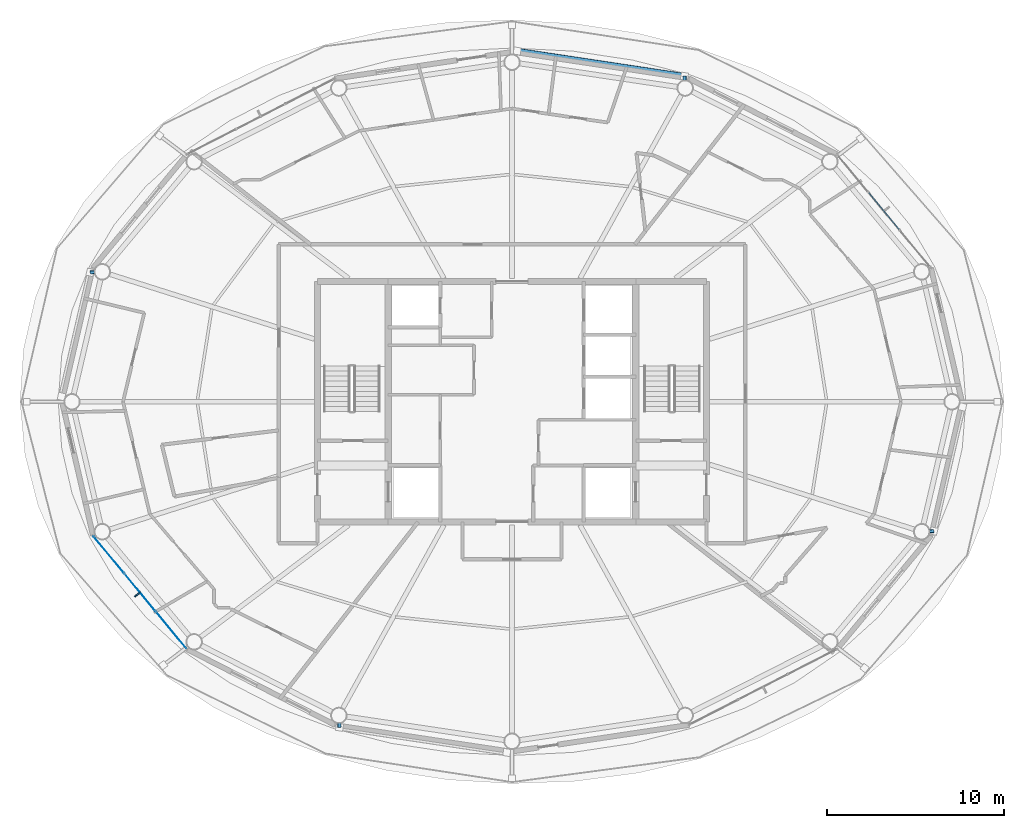
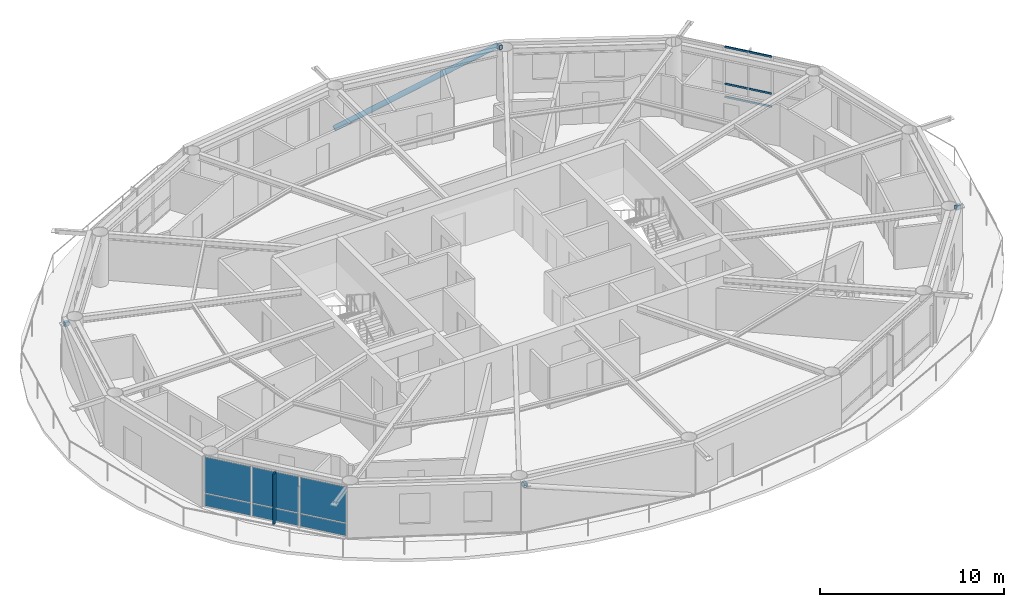
# One storey, part 12 of 22: 8 members, 7 plates, 2 elements without a shape of their own.
"""IFC4 building model written with IfcOpenShell, lengths in metres."""

from ifc_helpers import new_model, si_unit, direction, frame, origin, origin_2d, place, context, subcontext, project, spatial, rectangle, hollow_rectangle, hollow_circle, extrude, material, layer, layer_set, material_profile, profile_set, type_object, element, aggregate, save


model = new_model("IFC4")

# Units and contexts
model_context = context("Model", 3, precision=1e-05, world=origin(), true_north=direction((0.0, 1.0)))
body_context = subcontext(model_context, "Body", "Model", "MODEL_VIEW")
ifc_project = project(units=[si_unit("LENGTHUNIT", "METRE"), si_unit("AREAUNIT", "SQUARE_METRE"), si_unit("VOLUMEUNIT", "CUBIC_METRE"), si_unit("PLANEANGLEUNIT", "RADIAN"), si_unit("MASSUNIT", "GRAM", prefix="KILO")], contexts=[model_context])

# Site, building, storey
site_placement = place(None, origin())
site = spatial("IfcSite", under=ifc_project, at=site_placement, CompositionType="ELEMENT")
building_placement = place(site_placement, origin())
building = spatial("IfcBuilding", under=site, at=building_placement, Name="Sarneth Arch Tower", CompositionType="ELEMENT")
storey_placement = place(building_placement, frame((0.0, 0.0, 305.39990234375)))
storey = spatial("IfcBuildingStorey", under=building, at=storey_placement, Name="L79", CompositionType="ELEMENT", Elevation=305.39990234375)

# Curtain wall, members
ifc_material_1 = material(Name="Anodised aluminium Type AA25 and solar-control low-e laminated IGU", Category="aluminium")
ifc_layer_1 = layer(ifc_material_1, 0.179931640625)
ifc_layer_set_1 = layer_set([ifc_layer_1], Name="Anodised aluminium Type AA25 and solar-control low-e laminated IGU")
curtain_wall_type = type_object("IfcCurtainWallType", Name="CW-RES-HIGH", PredefinedType="NOTDEFINED", material=ifc_layer_set_1)
curtain_wall_1_placement = place(storey_placement, origin())
curtain_wall_1 = element("IfcCurtainWall", 1, at=curtain_wall_1_placement, inside=storey, type_object=curtain_wall_type, Name="L79 Unitised curtain wall facet 02", PredefinedType="NOTDEFINED")
ifc_material_2 = material(Name="Anodised Aluminium 6063-T6", Category="aluminium")
ifc_material_profile_1 = material_profile(ifc_material_2, hollow_rectangle(XDim=0.06005859375, YDim=0.1201171875, WallThickness=0.00390625, at=origin_2d()), Name="AL-TRAN-120x60x4")
ifc_profile_set_1 = profile_set([ifc_material_profile_1], Name="Anodised Aluminium 6063-T6")
member_type_1 = type_object("IfcMemberType", Name="CW-TRANSOM", PredefinedType="USERDEFINED", material=ifc_profile_set_1)
member_1_placement = place(storey_placement, frame((69.904296875, 51.731689453125, 0.030029296875), z_axis=(-0.637617371902, 0.770353222261, 0.0), x_axis=(-0.770353222261, -0.637617371902, 0.0)))
member_1 = element("IfcMember", 2, at=member_1_placement, type_object=member_type_1, Name="CW-SYS-6 transom 2.1", ObjectType="TRANSOM", PredefinedType="USERDEFINED", context=body_context, shape_type="SweptSolid", body=[
    extrude(hollow_rectangle(XDim=0.06005859375, YDim=0.1201171875, WallThickness=0.00390625, at=origin_2d()), origin(), (0.0, 0.0, 1.0), 2.716552734375),
])
member_2_placement = place(storey_placement, frame((69.904296875, 51.731689453125, 0.900146484375), z_axis=(-0.637617371902, 0.770353222261, 0.0), x_axis=(-0.770353222261, -0.637617371902, 0.0)))
member_2 = element("IfcMember", 3, at=member_2_placement, type_object=member_type_1, Name="CW-SYS-6 transom 2.2", ObjectType="TRANSOM", PredefinedType="USERDEFINED", context=body_context, shape_type="SweptSolid", body=[
    extrude(hollow_rectangle(XDim=0.06005859375, YDim=0.1201171875, WallThickness=0.00390625, at=origin_2d()), origin(), (0.0, 0.0, 1.0), 2.716552734375),
])
member_3_placement = place(storey_placement, frame((69.904296875, 51.731689453125, 3.340087890625), z_axis=(-0.637617371902, 0.770353222261, 0.0), x_axis=(-0.770353222261, -0.637617371902, 0.0)))
member_3 = element("IfcMember", 4, at=member_3_placement, type_object=member_type_1, Name="CW-SYS-6 transom 2.3", ObjectType="TRANSOM", PredefinedType="USERDEFINED", context=body_context, shape_type="SweptSolid", body=[
    extrude(hollow_rectangle(XDim=0.06005859375, YDim=0.1201171875, WallThickness=0.00390625, at=origin_2d()), origin(), (0.0, 0.0, 1.0), 2.716552734375),
])
aggregate(curtain_wall_1, [member_1, member_2, member_3])

# Members
ifc_material_3 = material(Name="Steel S355", Category="steel")
ifc_material_profile_2 = material_profile(ifc_material_3, hollow_rectangle(XDim=0.199951171875, YDim=0.300048828125, WallThickness=0.012451171875, InnerFilletRadius=0.018798828125, OuterFilletRadius=0.03125, at=origin_2d()), Name="RHS300x200x12.5")
ifc_profile_set_2 = profile_set([ifc_material_profile_2], Name="Steel S355")
member_type_2 = type_object("IfcMemberType", Name="MEM-CANT-STRUT", PredefinedType="STRUT", material=ifc_profile_set_2)
member_4_placement = place(storey_placement, frame((57.768798828125, 60.142822265625, 3.09228515625), z_axis=(-0.05446449316, 0.998515707931, 0.0), x_axis=(-0.998515707931, -0.05446449316, 0.0)))
element("IfcMember", 5, at=member_4_placement, inside=storey, type_object=member_type_2, Name="L79 Exoskeleton brace node strut 04B", PredefinedType="STRUT", context=body_context, shape_type="SweptSolid", body=[
    extrude(hollow_rectangle(XDim=0.199951171875, YDim=0.300048828125, WallThickness=0.012451171875, InnerFilletRadius=0.018798828125, OuterFilletRadius=0.03125, at=origin_2d()), origin(), (0.0, 0.0, 1.0), 0.26904296875),
])
member_5_placement = place(storey_placement, frame((24.426513671875, 49.32861328125, 3.09228515625), z_axis=(-0.998880000755, -0.047315368457, 0.0), x_axis=(0.047315368457, -0.998880000755, 0.0)))
element("IfcMember", 6, at=member_5_placement, inside=storey, type_object=member_type_2, Name="L79 Exoskeleton brace node strut 08B", PredefinedType="STRUT", context=body_context, shape_type="SweptSolid", body=[
    extrude(hollow_rectangle(XDim=0.199951171875, YDim=0.300048828125, WallThickness=0.012451171875, InnerFilletRadius=0.018798828125, OuterFilletRadius=0.03125, at=origin_2d()), origin(), (0.0, 0.0, 1.0), 0.278564453125),
])
member_6_placement = place(storey_placement, frame((38.231201171875, 23.857177734375, 3.09228515625), z_axis=(0.05446449316, -0.998515707931, 0.0), x_axis=(0.998515707931, 0.05446449316, 0.0)))
element("IfcMember", 7, at=member_6_placement, inside=storey, type_object=member_type_2, Name="L79 Exoskeleton brace node strut 12B", PredefinedType="STRUT", context=body_context, shape_type="SweptSolid", body=[
    extrude(hollow_rectangle(XDim=0.199951171875, YDim=0.300048828125, WallThickness=0.012451171875, InnerFilletRadius=0.018798828125, OuterFilletRadius=0.03125, at=origin_2d()), origin(), (0.0, 0.0, 1.0), 0.26904296875),
])
member_7_placement = place(storey_placement, frame((71.573486328125, 34.67138671875, 3.09228515625), z_axis=(0.998880000755, 0.047315368457, 0.0), x_axis=(-0.047315368457, 0.998880000755, 0.0)))
element("IfcMember", 8, at=member_7_placement, inside=storey, type_object=member_type_2, Name="L79 Exoskeleton brace node strut 16B", PredefinedType="STRUT", context=body_context, shape_type="SweptSolid", body=[
    extrude(hollow_rectangle(XDim=0.199951171875, YDim=0.300048828125, WallThickness=0.012451171875, InnerFilletRadius=0.018798828125, OuterFilletRadius=0.03125, at=origin_2d()), origin(), (0.0, 0.0, 1.0), 0.278564453125),
])
ifc_material_4 = material(Name="Steel S355", Category="steel")
ifc_material_profile_3 = material_profile(ifc_material_4, hollow_circle(Radius=0.162109375, WallThickness=0.012451171875, at=origin_2d()), Name="CHS324x12.5")
ifc_profile_set_3 = profile_set([ifc_material_profile_3], Name="Steel S355")
member_type_3 = type_object("IfcMemberType", Name="MEM-DIAG-BR3", PredefinedType="BRACE", material=ifc_profile_set_3)
member_8_placement = place(storey_placement, frame((48.296630859375, 61.83544921875, 0.02001953125), z_axis=(0.941471055877, -0.141762627625, 0.305835917372), x_axis=(0.148897148305, 0.988852688335, 0.0)))
element("IfcMember", 9, at=member_8_placement, inside=storey, type_object=member_type_3, Name="L79 Perimeter frame diagonal 04", PredefinedType="BRACE", context=body_context, shape_type="SweptSolid", body=[
    extrude(hollow_circle(Radius=0.162109375, WallThickness=0.012451171875, at=origin_2d()), origin(), (0.0, 0.0, 1.0), 10.04541015625),
])

# Curtain wall, plates
curtain_wall_2_placement = place(storey_placement, origin())
curtain_wall_2 = element("IfcCurtainWall", 10, at=curtain_wall_2_placement, inside=storey, type_object=curtain_wall_type, Name="L79 Unitised curtain wall facet 10", PredefinedType="NOTDEFINED")
ifc_material_5 = material(Name="Solar-control low-e laminated IGU", Category="glass")
ifc_layer_2 = layer(ifc_material_5, 0.028076171875)
ifc_layer_set_2 = layer_set([ifc_layer_2], Name="Solar-control low-e laminated IGU")
plate_type_1 = type_object("IfcPlateType", Name="CW-PANEL", PredefinedType="CURTAIN_PANEL", material=ifc_layer_set_2)
plate_1_placement = place(storey_placement, frame((25.200927734375, 33.349365234375, 0.06005859375), z_axis=(0.0, 0.0, 1.0), x_axis=(0.637610094184, -0.770359245933, 0.0)))
plate_1 = element("IfcPlate", 11, at=plate_1_placement, type_object=plate_type_1, Name="Curtain wall glazed vision pane CW-L79-F10/P00-00", PredefinedType="CURTAIN_PANEL", context=body_context, shape_type="SweptSolid", body=[
    extrude(rectangle(XDim=2.686767578125, YDim=0.028076171875, at=origin_2d()), origin(), (0.0, 0.0, 1.0), 0.81005859375),
])
plate_2_placement = place(storey_placement, frame((25.200927734375, 33.349365234375, 0.93017578125), z_axis=(0.0, 0.0, 1.0), x_axis=(0.637610094184, -0.770359245933, 0.0)))
plate_2 = element("IfcPlate", 12, at=plate_2_placement, type_object=plate_type_1, Name="Curtain wall glazed vision pane CW-L79-F10/P00-01", PredefinedType="CURTAIN_PANEL", context=body_context, shape_type="SweptSolid", body=[
    extrude(rectangle(XDim=2.686767578125, YDim=0.028076171875, at=origin_2d()), origin(), (0.0, 0.0, 1.0), 2.3798828125),
])
plate_3_placement = place(storey_placement, frame((26.9619140625, 31.221923828125, 0.06005859375), z_axis=(0.0, 0.0, 1.0), x_axis=(0.637610094184, -0.770359245933, 0.0)))
plate_3 = element("IfcPlate", 13, at=plate_3_placement, type_object=plate_type_1, Name="Curtain wall glazed vision pane CW-L79-F10/P01-00", PredefinedType="CURTAIN_PANEL", context=body_context, shape_type="SweptSolid", body=[
    extrude(rectangle(XDim=2.716552734375, YDim=0.028076171875, at=origin_2d()), origin(), (0.0, 0.0, 1.0), 0.81005859375),
])
plate_4_placement = place(storey_placement, frame((26.9619140625, 31.221923828125, 0.93017578125), z_axis=(0.0, 0.0, 1.0), x_axis=(0.637610094184, -0.770359245933, 0.0)))
plate_4 = element("IfcPlate", 14, at=plate_4_placement, type_object=plate_type_1, Name="Curtain wall glazed vision pane CW-L79-F10/P01-01", PredefinedType="CURTAIN_PANEL", context=body_context, shape_type="SweptSolid", body=[
    extrude(rectangle(XDim=2.716552734375, YDim=0.028076171875, at=origin_2d()), origin(), (0.0, 0.0, 1.0), 2.3798828125),
])
plate_5_placement = place(storey_placement, frame((28.72265625, 29.094482421875, 0.06005859375), z_axis=(0.0, 0.0, 1.0), x_axis=(0.637610094184, -0.770359245933, 0.0)))
plate_5 = element("IfcPlate", 15, at=plate_5_placement, type_object=plate_type_1, Name="Curtain wall glazed vision pane CW-L79-F10/P02-00", PredefinedType="CURTAIN_PANEL", context=body_context, shape_type="SweptSolid", body=[
    extrude(rectangle(XDim=2.686767578125, YDim=0.028076171875, at=origin_2d()), origin(), (0.0, 0.0, 1.0), 0.81005859375),
])
plate_6_placement = place(storey_placement, frame((28.72265625, 29.094482421875, 0.93017578125), z_axis=(0.0, 0.0, 1.0), x_axis=(0.637610094184, -0.770359245933, 0.0)))
plate_6 = element("IfcPlate", 16, at=plate_6_placement, type_object=plate_type_1, Name="Curtain wall glazed vision pane CW-L79-F10/P02-01", PredefinedType="CURTAIN_PANEL", context=body_context, shape_type="SweptSolid", body=[
    extrude(rectangle(XDim=2.686767578125, YDim=0.028076171875, at=origin_2d()), origin(), (0.0, 0.0, 1.0), 2.3798828125),
])
aggregate(curtain_wall_2, [plate_1, plate_2, plate_3, plate_4, plate_5, plate_6])

# Plate
ifc_material_6 = material(Name="Extruded glazed terracotta baguette fin on Aluminium 6063-T6 carrier", Category="masonry")
ifc_layer_3 = layer(ifc_material_6, 0.080078125)
ifc_layer_set_3 = layer_set([ifc_layer_3], Name="Extruded glazed terracotta baguette fin on Aluminium 6063-T6 carrier")
plate_type_2 = type_object("IfcPlateType", Name="SHADE-TERRA-FIN", PredefinedType="SHEET", material=ifc_layer_set_3)
plate_7_placement = place(storey_placement, frame((26.830810546875, 31.113525390625, 0.010009765625), z_axis=(0.0, 0.0, 1.0), x_axis=(-0.770401979567, -0.63755845997, 0.0)))
element("IfcPlate", 17, at=plate_7_placement, inside=storey, type_object=plate_type_2, Name="L79 Terracotta vertical shading fin 10", PredefinedType="SHEET", context=body_context, shape_type="SweptSolid", body=[
    extrude(rectangle(XDim=0.419921875, YDim=0.080078125, at=origin_2d()), origin(), (0.0, 0.0, 1.0), 3.35009765625),
])

save(model, "model.ifc")
